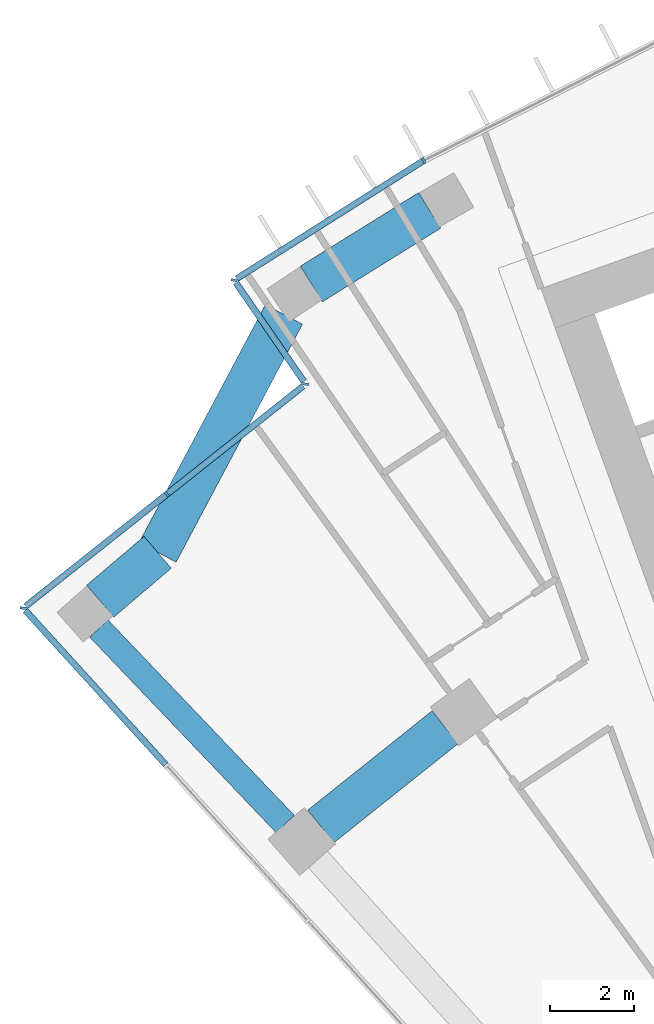
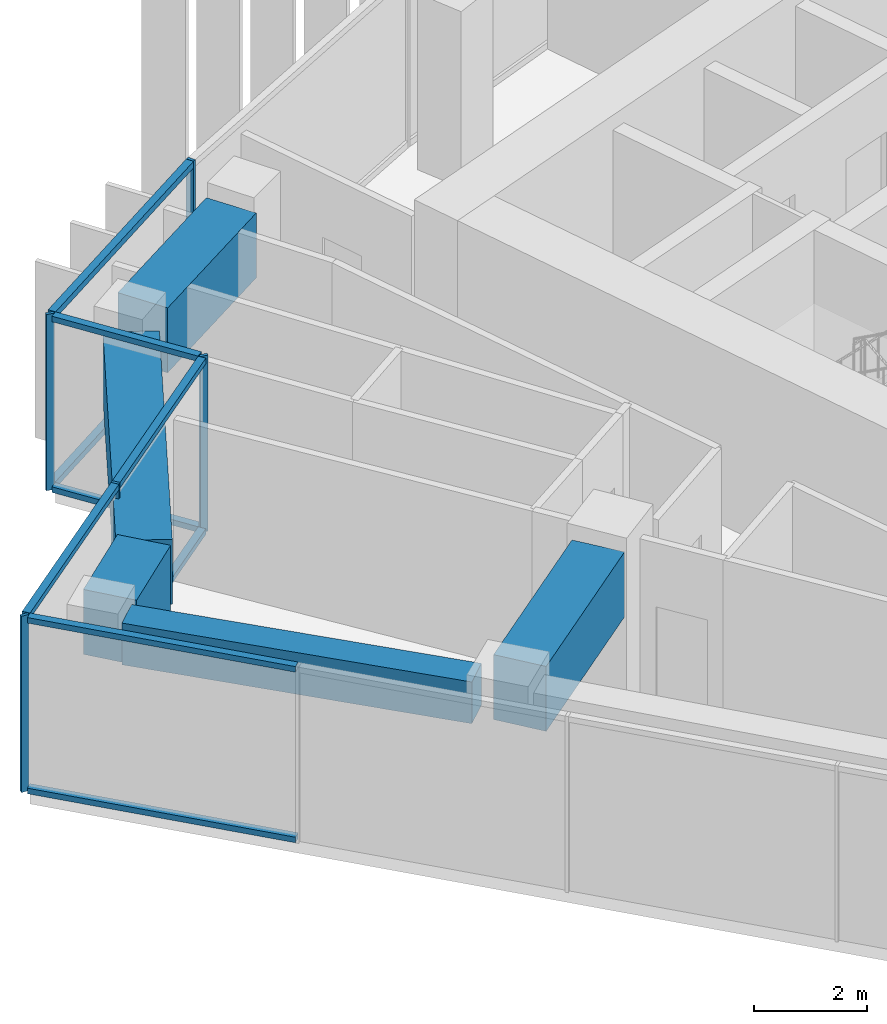
# One storey, part 4 of 19: 14 members, 5 beams, 4 elements without a shape of their own.
"""IFC4 building model written with IfcOpenShell, lengths in metres."""

from ifc_helpers import new_model, si_unit, direction, frame, origin, origin_2d, place, context, subcontext, project, spatial, rectangle, extrude, material, layer, layer_set, material_profile, profile_set, type_object, element, aggregate, save


model = new_model("IFC4")

# Units and contexts
model_context = context("Model", 3, precision=1e-05, world=origin(), true_north=direction((0.0, 1.0)))
body_context = subcontext(model_context, "Body", "Model", "MODEL_VIEW")
ifc_project = project(units=[si_unit("LENGTHUNIT", "METRE"), si_unit("AREAUNIT", "SQUARE_METRE"), si_unit("VOLUMEUNIT", "CUBIC_METRE"), si_unit("PLANEANGLEUNIT", "RADIAN"), si_unit("MASSUNIT", "GRAM", prefix="KILO")], contexts=[model_context])

# Site, building, storey
site_placement = place(None, origin())
site = spatial("IfcSite", under=ifc_project, at=site_placement, CompositionType="ELEMENT")
building_placement = place(site_placement, origin())
building = spatial("IfcBuilding", under=site, at=building_placement, Name="Stone Belt Terrace Tower", CompositionType="ELEMENT")
storey_placement = place(building_placement, frame((0.0, 0.0, 235.199951171875)))
storey = spatial("IfcBuildingStorey", under=building, at=storey_placement, Name="L57", CompositionType="ELEMENT", Elevation=235.199951171875)

# Curtain wall, members
ifc_material_1 = material(Name="Aluminium 6063-T6 anodised frame", Category="aluminium")
ifc_layer_1 = layer(ifc_material_1, 0.14990234375)
ifc_layer_set_1 = layer_set([ifc_layer_1], Name="CW-A unitised convex-face curtain wall")
curtain_wall_type_1 = type_object("IfcCurtainWallType", Name="CW-A unitised convex-face curtain wall", PredefinedType="NOTDEFINED", material=ifc_layer_set_1)
curtain_wall_1_placement = place(storey_placement, origin())
curtain_wall_1 = element("IfcCurtainWall", 1, at=curtain_wall_1_placement, inside=storey, type_object=curtain_wall_type_1, Name="CW-A convex face L57", PredefinedType="NOTDEFINED")
ifc_material_profile_1 = material_profile(ifc_material_1, rectangle(XDim=0.14990234375, YDim=0.06005859375, at=origin_2d()), Name="Aluminium 6063-T6 60x150")
ifc_profile_set_1 = profile_set([ifc_material_profile_1], Name="Aluminium 6063-T6 anodised frame")
member_type_1 = type_object("IfcMemberType", Name="CW-A mullion 60 x 150", PredefinedType="MULLION", material=ifc_profile_set_1)
member_1_placement = place(storey_placement, frame((-33.287109375, 57.656005859375, 0.0), z_axis=(0.0, 0.0, 1.0), x_axis=(0.4944743851, -0.869192201116, 0.0)))
member_1 = element("IfcMember", 2, at=member_1_placement, type_object=member_type_1, Name="CW-A mullion 14", PredefinedType="MULLION", context=body_context, shape_type="SweptSolid", body=[
    extrude(rectangle(XDim=0.14990234375, YDim=0.06005859375, at=origin_2d()), origin(), (0.0, 0.0, 1.0), 3.800048828125),
])
ifc_material_profile_2 = material_profile(ifc_material_1, rectangle(XDim=0.14990234375, YDim=0.139892578125, at=origin_2d()), Name="Aluminium 6063-T6 150x140")
ifc_profile_set_2 = profile_set([ifc_material_profile_2], Name="Aluminium 6063-T6 anodised frame")
member_type_2 = type_object("IfcMemberType", Name="CW-A transom 140 x 150", PredefinedType="USERDEFINED", material=ifc_profile_set_2)
member_2_placement = place(storey_placement, frame((-33.3154296875, 57.63818359375, 0.070068359375), z_axis=(-0.845532065706, -0.533924644367, 0.0), x_axis=(0.533924644367, -0.845532065706, 0.0)))
member_2 = element("IfcMember", 3, at=member_2_placement, type_object=member_type_2, Name="CW-A transom 14.1", ObjectType="TRANSOM", PredefinedType="USERDEFINED", context=body_context, shape_type="SweptSolid", body=[
    extrude(rectangle(XDim=0.14990234375, YDim=0.139892578125, at=origin_2d()), origin(), (0.0, 0.0, 1.0), 5.241455078125),
])
member_3_placement = place(storey_placement, frame((-33.3154296875, 57.63818359375, 3.72998046875), z_axis=(-0.845532065706, -0.533924644367, 0.0), x_axis=(0.533924644367, -0.845532065706, 0.0)))
member_3 = element("IfcMember", 4, at=member_3_placement, type_object=member_type_2, Name="CW-A transom 14.2", ObjectType="TRANSOM", PredefinedType="USERDEFINED", context=body_context, shape_type="SweptSolid", body=[
    extrude(rectangle(XDim=0.14990234375, YDim=0.139892578125, at=origin_2d()), origin(), (0.0, 0.0, 1.0), 5.241455078125),
])
aggregate(curtain_wall_1, [member_1, member_2, member_3])

# Curtain wall, member
ifc_layer_2 = layer(ifc_material_1, 0.14990234375)
ifc_layer_set_2 = layer_set([ifc_layer_2], Name="CW-C stick curtain wall, horn ends and notches")
curtain_wall_type_2 = type_object("IfcCurtainWallType", Name="CW-C stick curtain wall, horn ends and notches", PredefinedType="NOTDEFINED", material=ifc_layer_set_2)
curtain_wall_2_placement = place(storey_placement, origin())
curtain_wall_2 = element("IfcCurtainWall", 5, at=curtain_wall_2_placement, inside=storey, type_object=curtain_wall_type_2, Name="CW-C notch face L57", PredefinedType="NOTDEFINED")
ifc_material_profile_3 = material_profile(ifc_material_1, rectangle(XDim=0.14990234375, YDim=0.06005859375, at=origin_2d()), Name="Aluminium 6063-T6 60x150")
ifc_profile_set_3 = profile_set([ifc_material_profile_3], Name="Aluminium 6063-T6 anodised frame")
member_type_3 = type_object("IfcMemberType", Name="CW-C mullion 60 x 150", PredefinedType="MULLION", material=ifc_profile_set_3)
member_4_placement = place(storey_placement, frame((-37.810546875, 54.799560546875, 0.0), z_axis=(0.0, 0.0, 1.0), x_axis=(0.97959381054, -0.200987478095, 0.0)))
member_4 = element("IfcMember", 6, at=member_4_placement, type_object=member_type_3, Name="CW-C mullion 1", PredefinedType="MULLION", context=body_context, shape_type="SweptSolid", body=[
    extrude(rectangle(XDim=0.14990234375, YDim=0.06005859375, at=origin_2d()), origin(), (0.0, 0.0, 1.0), 3.800048828125),
])

# Curtain wall, members
curtain_wall_3_placement = place(storey_placement, origin())
curtain_wall_3 = element("IfcCurtainWall", 7, at=curtain_wall_3_placement, inside=storey, type_object=curtain_wall_type_2, Name="CW-C notch face L57", PredefinedType="NOTDEFINED")
member_5_placement = place(storey_placement, frame((-36.105224609375, 52.32177734375, 0.0), z_axis=(0.0, 0.0, 1.0), x_axis=(0.988961533192, -0.148172486877, 0.0)))
member_5 = element("IfcMember", 8, at=member_5_placement, type_object=member_type_3, Name="CW-C mullion 1", PredefinedType="MULLION", context=body_context, shape_type="SweptSolid", body=[
    extrude(rectangle(XDim=0.14990234375, YDim=0.06005859375, at=origin_2d()), origin(), (0.0, 0.0, 1.0), 3.800048828125),
])
member_6_placement = place(storey_placement, frame((-39.414306640625, 49.697265625, 0.0), z_axis=(0.0, 0.0, 1.0), x_axis=(0.621387727874, -0.783503217382, 0.0)))
member_6 = element("IfcMember", 9, at=member_6_placement, type_object=member_type_3, Name="CW-C mullion 2", PredefinedType="MULLION", context=body_context, shape_type="SweptSolid", body=[
    extrude(rectangle(XDim=0.14990234375, YDim=0.06005859375, at=origin_2d()), origin(), (0.0, 0.0, 1.0), 3.800048828125),
])

# Curtain wall, member
curtain_wall_4_placement = place(storey_placement, origin())
curtain_wall_4 = element("IfcCurtainWall", 10, at=curtain_wall_4_placement, inside=storey, type_object=curtain_wall_type_2, Name="CW-C end face L57", PredefinedType="NOTDEFINED")
member_7_placement = place(storey_placement, frame((-42.841552734375, 46.9794921875, 0.0), z_axis=(0.0, 0.0, 1.0), x_axis=(0.996717170972, -0.080962220139, 0.0)))
member_7 = element("IfcMember", 11, at=member_7_placement, type_object=member_type_3, Name="CW-C mullion 1", PredefinedType="MULLION", context=body_context, shape_type="SweptSolid", body=[
    extrude(rectangle(XDim=0.14990234375, YDim=0.06005859375, at=origin_2d()), origin(), (0.0, 0.0, 1.0), 3.800048828125),
])

# Member
ifc_material_profile_4 = material_profile(ifc_material_1, rectangle(XDim=0.14990234375, YDim=0.1201171875, at=origin_2d()), Name="Aluminium 6063-T6 150x120")
ifc_profile_set_4 = profile_set([ifc_material_profile_4], Name="Aluminium 6063-T6 anodised frame")
member_type_4 = type_object("IfcMemberType", Name="CW-C transom 120 x 150", PredefinedType="USERDEFINED", material=ifc_profile_set_4)
member_8_placement = place(storey_placement, frame((-37.768310546875, 54.738037109375, 0.06005859375), z_axis=(0.566970718961, -0.823737946097, 0.0), x_axis=(0.823737946097, 0.566970718961, 0.0)))
member_8 = element("IfcMember", 12, at=member_8_placement, type_object=member_type_4, Name="CW-C transom 1.1", ObjectType="TRANSOM", PredefinedType="USERDEFINED", context=body_context, shape_type="SweptSolid", body=[
    extrude(rectangle(XDim=0.14990234375, YDim=0.1201171875, at=origin_2d()), origin(), (0.0, 0.0, 1.0), 2.860107421875),
])

member_9_placement = place(storey_placement, frame((-37.768310546875, 54.738037109375, 3.739990234375), z_axis=(0.566970718961, -0.823737946097, 0.0), x_axis=(0.823737946097, 0.566970718961, 0.0)))
member_9 = element("IfcMember", 13, at=member_9_placement, type_object=member_type_4, Name="CW-C transom 1.2", ObjectType="TRANSOM", PredefinedType="USERDEFINED", context=body_context, shape_type="SweptSolid", body=[
    extrude(rectangle(XDim=0.14990234375, YDim=0.1201171875, at=origin_2d()), origin(), (0.0, 0.0, 1.0), 2.860107421875),
])

aggregate(curtain_wall_2, [member_4, member_8, member_9])

member_10_placement = place(storey_placement, frame((-36.16259765625, 52.2763671875, 0.06005859375), z_axis=(-0.783503647613, -0.621387185398, 0.0), x_axis=(0.621387185398, -0.783503647613, 0.0)))
member_10 = element("IfcMember", 14, at=member_10_placement, type_object=member_type_4, Name="CW-C transom 1.1", ObjectType="TRANSOM", PredefinedType="USERDEFINED", context=body_context, shape_type="SweptSolid", body=[
    extrude(rectangle(XDim=0.14990234375, YDim=0.1201171875, at=origin_2d()), origin(), (0.0, 0.0, 1.0), 4.120361328125),
])

member_11_placement = place(storey_placement, frame((-36.16259765625, 52.2763671875, 3.739990234375), z_axis=(-0.783503647613, -0.621387185398, 0.0), x_axis=(0.621387185398, -0.783503647613, 0.0)))
member_11 = element("IfcMember", 15, at=member_11_placement, type_object=member_type_4, Name="CW-C transom 1.2", ObjectType="TRANSOM", PredefinedType="USERDEFINED", context=body_context, shape_type="SweptSolid", body=[
    extrude(rectangle(XDim=0.14990234375, YDim=0.1201171875, at=origin_2d()), origin(), (0.0, 0.0, 1.0), 4.120361328125),
])

member_12_placement = place(storey_placement, frame((-39.43798828125, 49.6787109375, 3.739990234375), z_axis=(-0.783489997604, -0.621404396231, 0.0), x_axis=(0.621404396231, -0.783489997604, 0.0)))
member_12 = element("IfcMember", 16, at=member_12_placement, type_object=member_type_4, Name="CW-C transom 2.1", ObjectType="TRANSOM", PredefinedType="USERDEFINED", context=body_context, shape_type="SweptSolid", body=[
    extrude(rectangle(XDim=0.14990234375, YDim=0.1201171875, at=origin_2d()), origin(), (0.0, 0.0, 1.0), 4.268798828125),
])

aggregate(curtain_wall_3, [member_5, member_6, member_10, member_11, member_12])

member_13_placement = place(storey_placement, frame((-42.790771484375, 46.923828125, 0.06005859375), z_axis=(0.672948759459, -0.739689101679, 0.0), x_axis=(0.739689101679, 0.672948759459, 0.0)))
member_13 = element("IfcMember", 17, at=member_13_placement, type_object=member_type_4, Name="CW-C transom 1.1", ObjectType="TRANSOM", PredefinedType="USERDEFINED", context=body_context, shape_type="SweptSolid", body=[
    extrude(rectangle(XDim=0.14990234375, YDim=0.1201171875, at=origin_2d()), origin(), (0.0, 0.0, 1.0), 4.974853515625),
])

member_14_placement = place(storey_placement, frame((-42.790771484375, 46.923828125, 3.739990234375), z_axis=(0.672948759459, -0.739689101679, 0.0), x_axis=(0.739689101679, 0.672948759459, 0.0)))
member_14 = element("IfcMember", 18, at=member_14_placement, type_object=member_type_4, Name="CW-C transom 1.2", ObjectType="TRANSOM", PredefinedType="USERDEFINED", context=body_context, shape_type="SweptSolid", body=[
    extrude(rectangle(XDim=0.14990234375, YDim=0.1201171875, at=origin_2d()), origin(), (0.0, 0.0, 1.0), 4.974853515625),
])

aggregate(curtain_wall_4, [member_7, member_13, member_14])

# Beams
ifc_material_2 = material(Name="Concrete B60", Category="concrete")
ifc_material_profile_5 = material_profile(ifc_material_2, rectangle(XDim=0.60009765625, YDim=0.89990234375, at=origin_2d()), Name="RC 600x900")
ifc_profile_set_5 = profile_set([ifc_material_profile_5], Name="Concrete B60")
beam_type_1 = type_object("IfcBeamType", Name="Edge beam RC 600x900 B60", PredefinedType="SPANDREL", material=ifc_profile_set_5)
beam_1_placement = place(storey_placement, frame((-36.591796875, 41.82861328125, 3.030029296875), z_axis=(-0.690046720349, 0.723764826263, 0.0), x_axis=(-0.723764826263, -0.690046720349, 0.0)))
element("IfcBeam", 19, at=beam_1_placement, inside=storey, type_object=beam_type_1, Name="Edge beam L57 A Q to R", PredefinedType="SPANDREL", context=body_context, shape_type="SweptSolid", body=[
    extrude(rectangle(XDim=0.60009765625, YDim=0.89990234375, at=origin_2d()), origin(), (0.0, 0.0, 1.0), 6.444091796875),
])
ifc_material_3 = material(Name="Concrete B80", Category="concrete")
ifc_material_profile_6 = material_profile(ifc_material_3, rectangle(XDim=1.0, YDim=1.39990234375, at=origin_2d()), Name="RC 1000x1400")
ifc_profile_set_6 = profile_set([ifc_material_profile_6], Name="Concrete B80")
beam_type_2 = type_object("IfcBeamType", Name="Transfer beam RC 1000x1400 B80", PredefinedType="BEAM", material=ifc_profile_set_6)
beam_2_placement = place(storey_placement, frame((-35.74462890625, 41.770751953125, 2.780029296875), z_axis=(0.781746844818, 0.62359591934, 0.0), x_axis=(-0.62359591934, 0.781746844818, 0.0)))
element("IfcBeam", 20, at=beam_2_placement, inside=storey, type_object=beam_type_2, Name="Transfer beam L57 QQA-Q16", PredefinedType="BEAM", context=body_context, shape_type="SweptSolid", body=[
    extrude(rectangle(XDim=1.0, YDim=1.39990234375, at=origin_2d()), origin(), (0.0, 0.0, 1.0), 3.79443359375),
])
beam_3_placement = place(storey_placement, frame((-41.004638671875, 47.14453125, 2.780029296875), z_axis=(0.761419543603, 0.648259422315, 0.0), x_axis=(-0.648259422315, 0.761419543603, 0.0)))
element("IfcBeam", 21, at=beam_3_placement, inside=storey, type_object=beam_type_2, Name="Transfer beam L57 RRA-RA", PredefinedType="BEAM", context=body_context, shape_type="SweptSolid", body=[
    extrude(rectangle(XDim=1.0, YDim=1.39990234375, at=origin_2d()), origin(), (0.0, 0.0, 1.0), 1.797119140625),
])
beam_4_placement = place(storey_placement, frame((-39.63623046875, 48.3095703125, 2.780029296875), z_axis=(0.468964461886, 0.883217036457, 0.0), x_axis=(-0.883217036457, 0.468964461886, 0.0)))
element("IfcBeam", 22, at=beam_4_placement, inside=storey, type_object=beam_type_2, Name="Transfer beam L57 RRA-RNA", PredefinedType="BEAM", context=body_context, shape_type="SweptSolid", body=[
    extrude(rectangle(XDim=1.0, YDim=1.39990234375, at=origin_2d()), origin(), (0.0, 0.0, 1.0), 6.42578125),
])
beam_5_placement = place(storey_placement, frame((-35.96630859375, 54.712158203125, 2.780029296875), z_axis=(0.849285325289, 0.527934121126, 0.0), x_axis=(-0.527934121126, 0.849285325289, 0.0)))
element("IfcBeam", 23, at=beam_5_placement, inside=storey, type_object=beam_type_2, Name="Transfer beam L57 RRNA-R17", PredefinedType="BEAM", context=body_context, shape_type="SweptSolid", body=[
    extrude(rectangle(XDim=1.0, YDim=1.39990234375, at=origin_2d()), origin(), (0.0, 0.0, 1.0), 3.318603515625),
])

save(model, "model.ifc")
